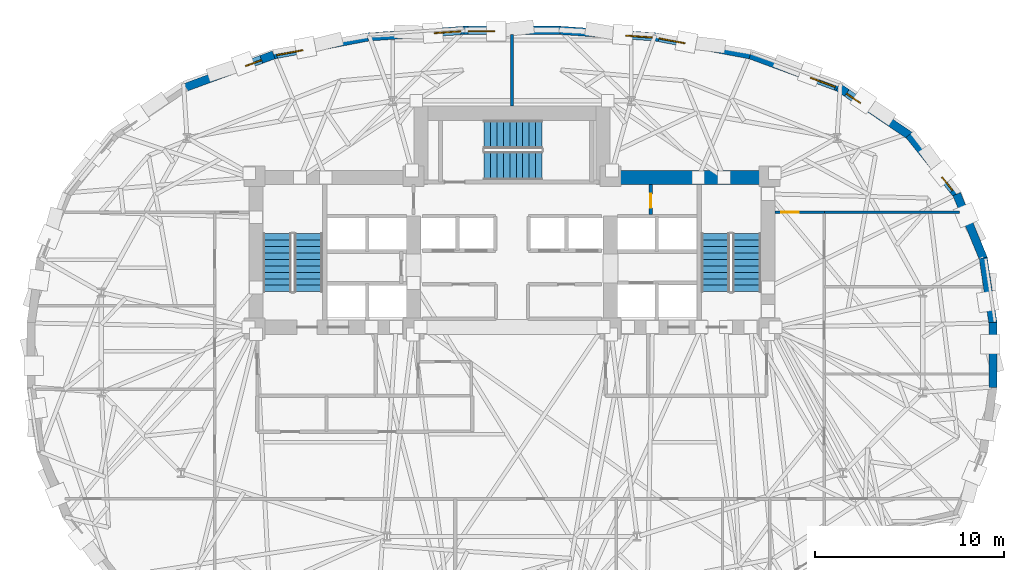
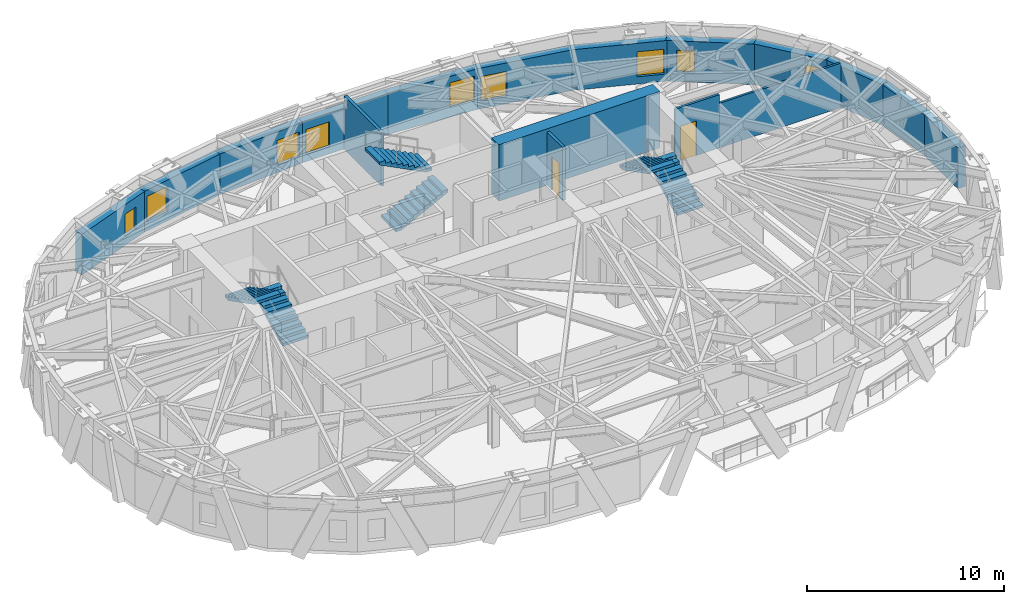
# One storey, part 10 of 14: 17 walls, 9 windows, 6 stair flights, 2 doors, 11 openings, 3 elements without a shape of their own.
"""IFC4 building model written with IfcOpenShell, lengths in metres."""

from ifc_helpers import new_model, si_unit, direction, frame, frame_2d, origin, place, context, subcontext, project, spatial, polyline, rectangle, outline, extrude, material, layer, layer_set, type_object, element, fill, aggregate, save


model = new_model("IFC4")

# Units and contexts
model_context = context("Model", 3, precision=1e-05, world=origin(), true_north=direction((0.0, 1.0)))
body_context = subcontext(model_context, "Body", "Model", "MODEL_VIEW")
ifc_project = project(units=[si_unit("LENGTHUNIT", "METRE"), si_unit("AREAUNIT", "SQUARE_METRE"), si_unit("VOLUMEUNIT", "CUBIC_METRE"), si_unit("PLANEANGLEUNIT", "RADIAN"), si_unit("MASSUNIT", "GRAM", prefix="KILO")], contexts=[model_context])

# Site, building, storey
site_placement = place(None, origin())
site = spatial("IfcSite", under=ifc_project, at=site_placement, CompositionType="ELEMENT")
building_placement = place(site_placement, origin())
building = spatial("IfcBuilding", under=site, at=building_placement, Name="Keldmark Tower", CompositionType="ELEMENT")
storey_placement = place(building_placement, frame((0.0, 0.0, 128.10009765625)))
storey = spatial("IfcBuildingStorey", under=building, at=storey_placement, Name="L34", CompositionType="ELEMENT", Elevation=128.10009765625)

# Wall, opening, door
ifc_material_1 = material(Name="Acoustic Double-Layer Gypsum Corridor Partition", Category="gypsum")
ifc_layer_1 = layer(ifc_material_1, 0.139892578125)
ifc_layer_set_1 = layer_set([ifc_layer_1], Name="Acoustic Double-Layer Gypsum Corridor Partition")
wall_type_1 = type_object("IfcWallType", Name="Acoustic Corridor Partition 140 mm", PredefinedType="PARTITIONING", material=ifc_layer_set_1)
wall_1_placement = place(storey_placement, frame((13.89990234375, 7.550048828125, 0.0), z_axis=(0.0, 0.0, 1.0), x_axis=(1.0, 0.0, 0.0)))
wall_1 = element("IfcWall", 1, at=wall_1_placement, inside=storey, type_object=wall_type_1, Name="L34 Acoustic Corridor Partition 140 mm COR-EN-CAP", PredefinedType="PARTITIONING", context=body_context, shape_type="SweptSolid", body=[
    extrude(rectangle(XDim=2.60009765625, YDim=0.139892578125, at=frame_2d((1.300048828125, 0.0))), origin(), (0.0, 0.0, 1.0), 3.309814453125),
])
opening_1_placement = place(wall_1_placement, frame((0.320068359375, 0.0, 0.0)))
opening_1 = element("IfcOpeningElement", 2, at=opening_1_placement, cuts=wall_1, Name="Opening D-EX092", PredefinedType="OPENING", context=body_context, shape_type="SweptSolid", body=[
    extrude(rectangle(XDim=0.919921875, YDim=2.14990234375, at=frame_2d((0.4599609375, 1.074951171875))), frame((0.0, 0.079833984375, 0.0), z_axis=(0.0, -1.0, 0.0), x_axis=(1.0, 0.0, 0.0)), (0.0, 0.0, 1.0), 0.159912109375),
])
ifc_material_2 = material(Name="Flush American Ash Executive Office Door", Category="wood")
door_type_1 = type_object("IfcDoorType", Name="Executive Office Door 920x2150", OperationType="NOTDEFINED", PredefinedType="DOOR", material=ifc_material_2)
door_1_placement = place(opening_1_placement, origin())
door_1 = element("IfcDoor", 3, at=door_1_placement, inside=storey, type_object=door_type_1, Name="L34 Executive Office Door 920x2150 D-NRNE-L34", OperationType="SINGLE_SWING_RIGHT", OverallHeight=2.14990234375, OverallWidth=0.919921875, PredefinedType="DOOR", context=body_context, shape_type="SweptSolid", body=[
    extrude(rectangle(XDim=0.919921875, YDim=2.14990234375, at=frame_2d((0.4599609375, 1.074951171875))), frame((0.0, 0.02490234375, 0.0), z_axis=(0.0, -1.0, 0.0), x_axis=(1.0, 0.0, 0.0)), (0.0, 0.0, 1.0), 0.050048828125),
])
fill(opening_1, door_1)

# Walls
ifc_material_3 = material(Name="STC-58 Insulated Tenant Demising Gypsum Partition", Category="gypsum")
ifc_layer_2 = layer(ifc_material_3, 0.175048828125)
ifc_layer_set_2 = layer_set([ifc_layer_2], Name="STC-58 Insulated Tenant Demising Gypsum Partition")
wall_type_2 = type_object("IfcWallType", Name="Demising Suite Partition 175 mm", PredefinedType="PARTITIONING", material=ifc_layer_set_2)
wall_2_placement = place(storey_placement, frame((0.0, 13.14990234375, 0.0), z_axis=(0.0, 0.0, 1.0), x_axis=(0.0, 1.0, 0.0)))
element("IfcWall", 4, at=wall_2_placement, inside=storey, type_object=wall_type_2, Name="L34 Demising Suite Partition 175 mm N-MID-DIV", PredefinedType="PARTITIONING", context=body_context, shape_type="SweptSolid", body=[
    extrude(rectangle(XDim=3.777099609375, YDim=0.175048828125, at=frame_2d((1.888671875, 0.0))), origin(), (0.0, 0.0, 1.0), 3.309814453125),
])
ifc_material_4 = material(Name="Acoustic Gypsum Board Interior Partition", Category="gypsum")
ifc_layer_3 = layer(ifc_material_4, 0.1298828125)
ifc_layer_set_3 = layer_set([ifc_layer_3], Name="Acoustic Gypsum Board Interior Partition")
wall_type_3 = type_object("IfcWallType", Name="Interior Partition 130 mm", PredefinedType="PARTITIONING", material=ifc_layer_set_3)
wall_3_placement = place(storey_placement, frame((16.5, 7.550048828125, 0.0), z_axis=(0.0, 0.0, 1.0), x_axis=(1.0, 0.0, 0.0)))
element("IfcWall", 5, at=wall_3_placement, inside=storey, type_object=wall_type_3, Name="L34 Interior Partition 130 mm E-CAP-N", PredefinedType="PARTITIONING", context=body_context, shape_type="SweptSolid", body=[
    extrude(rectangle(XDim=7.138671875, YDim=0.1298828125, at=frame_2d((3.5693359375, 0.0))), origin(), (0.0, 0.0, 1.0), 2.762939453125),
])
ifc_material_5 = material(Name="Concrete C70/85", Category="concrete")
ifc_layer_4 = layer(ifc_material_5, 0.75)
ifc_layer_set_4 = layer_set([ifc_layer_4], Name="Concrete C70/85")
wall_type_4 = type_object("IfcWallType", Name="Low-Mid Core Shear Wall 750 mm", PredefinedType="SHEAR", material=ifc_layer_set_4)
wall_4_placement = place(storey_placement, frame((4.425048828125, 9.375, 0.0), z_axis=(0.0, 0.0, 1.0), x_axis=(1.0, 0.0, 0.0)))
element("IfcWall", 6, at=wall_4_placement, inside=storey, type_object=wall_type_4, Name="L34 East Core North Shear Wall", PredefinedType="SHEAR", context=body_context, shape_type="SweptSolid", body=[
    extrude(rectangle(XDim=9.474853515625, YDim=0.75, at=frame_2d((4.7373046875, 0.0))), origin(), (0.0, 0.0, 1.0), 3.5),
])

# Wall, opening, door
ifc_material_6 = material(Name="Type X Fire-Rated Gypsum Partition Assembly", Category="gypsum")
ifc_layer_5 = layer(ifc_material_6, 0.1650390625)
ifc_layer_set_5 = layer_set([ifc_layer_5], Name="Type X Fire-Rated Gypsum Partition Assembly")
wall_type_5 = type_object("IfcWallType", Name="Rated Partition 165 mm", PredefinedType="PARTITIONING", material=ifc_layer_set_5)
wall_5_placement = place(storey_placement, frame((7.330078125, 7.419921875, 0.0), z_axis=(0.0, 0.0, 1.0), x_axis=(0.0, 1.0, 0.0)))
wall_5 = element("IfcWall", 7, at=wall_5_placement, inside=storey, type_object=wall_type_5, Name="L34 Rated Partition 165 mm CS-NE-W", PredefinedType="PARTITIONING", context=body_context, shape_type="SweptSolid", body=[
    extrude(rectangle(XDim=1.580078125, YDim=0.1650390625, at=frame_2d((0.7900390625, 0.0))), origin(), (0.0, 0.0, 1.0), 3.309814453125),
])
opening_2_placement = place(wall_5_placement, frame((0.35009765625, 0.0, 0.0)))
opening_2 = element("IfcOpeningElement", 8, at=opening_2_placement, cuts=wall_5, Name="Opening D-RS075", PredefinedType="OPENING", context=body_context, shape_type="SweptSolid", body=[
    extrude(rectangle(XDim=0.75, YDim=2.10009765625, at=frame_2d((0.375, 1.050048828125))), frame((0.0, 0.092529296875, 0.0), z_axis=(0.0, -1.0, 0.0), x_axis=(1.0, 0.0, 0.0)), (0.0, 0.0, 1.0), 0.18505859375),
])
ifc_material_7 = material(Name="Galvanized Fire-Rated Access Leaf", Category="metal")
door_type_2 = type_object("IfcDoorType", Name="Riser Access Door 750x2100", OperationType="NOTDEFINED", PredefinedType="DOOR", material=ifc_material_7)
door_2_placement = place(opening_2_placement, origin())
door_2 = element("IfcDoor", 9, at=door_2_placement, inside=storey, type_object=door_type_2, Name="L34 Riser Access Door 750x2100 D-CSNE1-L34", OperationType="SINGLE_SWING_LEFT", OverallHeight=2.10009765625, OverallWidth=0.75, PredefinedType="DOOR", context=body_context, shape_type="SweptSolid", body=[
    extrude(rectangle(XDim=0.75, YDim=2.10009765625, at=frame_2d((0.375, 1.050048828125))), frame((0.0, 0.02490234375, 0.0), z_axis=(0.0, -1.0, 0.0), x_axis=(1.0, 0.0, 0.0)), (0.0, 0.0, 1.0), 0.050048828125),
])
fill(opening_2, door_2)

# Walls
ifc_material_8 = material(Name="Ironspot Manganese Brick and Kasota Buff Limestone Spandrel Assembly", Category="masonry")
ifc_layer_6 = layer(ifc_material_8, 0.43994140625)
ifc_layer_set_6 = layer_set([ifc_layer_6], Name="Ironspot Manganese Brick and Kasota Buff Limestone Spandrel Assembly")
wall_type_6 = type_object("IfcWallType", Name="Tower Brick Pier and Spandrel Wall 440 mm", PredefinedType="STANDARD", material=ifc_layer_set_6)
wall_6_placement = place(storey_placement, frame((24.893310546875, 5.132080078125, 0.0), z_axis=(0.0, 0.0, 1.0), x_axis=(0.147673688434, -0.989036137734, 0.0)))
element("IfcWall", 10, at=wall_6_placement, inside=storey, type_object=wall_type_6, Name="L34 Exterior Brick and Spandrel Wall 01", PredefinedType="STANDARD", context=body_context, shape_type="SweptSolid", body=[
    extrude(rectangle(XDim=3.49169921875, YDim=0.43994140625, at=frame_2d((1.745849609375, 0.0))), origin(), (0.0, 0.0, 1.0), 2.52783203125),
])
wall_7_placement = place(storey_placement, frame((23.4912109375, 8.5029296875, 0.0), z_axis=(0.0, 0.0, 1.0), x_axis=(0.382433297136, -0.923983102249, 0.0)))
element("IfcWall", 11, at=wall_7_placement, inside=storey, type_object=wall_type_6, Name="L34 Exterior Brick and Spandrel Wall 02", PredefinedType="STANDARD", context=body_context, shape_type="SweptSolid", body=[
    extrude(rectangle(XDim=3.703857421875, YDim=0.43994140625, at=frame_2d((1.85205078125, 0.0))), origin(), (0.0, 0.0, 1.0), 2.52783203125),
])

# Wall, opening, window
wall_8_placement = place(storey_placement, frame((20.9755859375, 11.62939453125, 0.0), z_axis=(0.0, 0.0, 1.0), x_axis=(0.625169926256, -0.780488669556, 0.0)))
wall_8 = element("IfcWall", 12, at=wall_8_placement, inside=storey, type_object=wall_type_6, Name="L34 Exterior Brick and Spandrel Wall 03", PredefinedType="STANDARD", context=body_context, shape_type="SweptSolid", body=[
    extrude(rectangle(XDim=4.07421875, YDim=0.43994140625, at=frame_2d((2.037109375, 0.0))), origin(), (0.0, 0.0, 1.0), 2.52783203125),
])
opening_3_placement = place(wall_8_placement, frame((2.82568359375, 0.0, 0.580078125)))
opening_3 = element("IfcOpeningElement", 13, at=opening_3_placement, cuts=wall_8, Name="Opening W-09", PredefinedType="OPENING", context=body_context, shape_type="SweptSolid", body=[
    extrude(rectangle(XDim=0.89990234375, YDim=1.35009765625, at=frame_2d((0.449951171875, 0.675048828125))), frame((0.0, 0.22998046875, 0.0), z_axis=(0.0, -1.0, 0.0), x_axis=(1.0, 0.0, 0.0)), (0.0, 0.0, 1.0), 0.4599609375),
])
ifc_material_9 = material(Name="Thermally Broken Anodized Aluminum and Triple Low-E Argon Glazing", Category="aluminium")
window_type_1 = type_object("IfcWindowType", Name="Corner Pier Deep-Set Window 900x1350", PartitioningType="SINGLE_PANEL", PredefinedType="WINDOW", material=ifc_material_9)
window_1_placement = place(opening_3_placement, origin())
window_1 = element("IfcWindow", 14, at=window_1_placement, inside=storey, type_object=window_type_1, Name="L34 Deep-Set Window 03", OverallHeight=1.35009765625, OverallWidth=0.89990234375, PartitioningType="SINGLE_PANEL", PredefinedType="WINDOW", context=body_context, shape_type="SweptSolid", body=[
    extrude(rectangle(XDim=0.89990234375, YDim=1.35009765625, at=frame_2d((0.449951171875, 0.675048828125))), frame((0.0, -0.010009765625, 0.0), z_axis=(0.0, -1.0, 0.0), x_axis=(1.0, 0.0, 0.0)), (0.0, 0.0, 1.0), 0.06005859375),
])
fill(opening_3, window_1)

wall_9_placement = place(storey_placement, frame((17.231689453125, 14.156005859375, 0.0), z_axis=(0.0, 0.0, 1.0), x_axis=(0.827687941294, -0.561188624116, 0.0)))
wall_9 = element("IfcWall", 15, at=wall_9_placement, inside=storey, type_object=wall_type_6, Name="L34 Exterior Brick and Spandrel Wall 04", PredefinedType="STANDARD", context=body_context, shape_type="SweptSolid", body=[
    extrude(rectangle(XDim=4.58154296875, YDim=0.43994140625, at=frame_2d((2.290771484375, 0.0))), origin(), (0.0, 0.0, 1.0), 2.52783203125),
])
opening_4_placement = place(wall_9_placement, frame((0.548095703125, 0.0, 0.580078125)))
opening_4 = element("IfcOpeningElement", 16, at=opening_4_placement, cuts=wall_9, Name="Opening W-09", PredefinedType="OPENING", context=body_context, shape_type="SweptSolid", body=[
    extrude(rectangle(XDim=0.89990234375, YDim=1.35009765625, at=frame_2d((0.449951171875, 0.675048828125))), frame((0.0, 0.22998046875, 0.0), z_axis=(0.0, -1.0, 0.0), x_axis=(1.0, 0.0, 0.0)), (0.0, 0.0, 1.0), 0.4599609375),
])
window_2_placement = place(opening_4_placement, origin())
window_2 = element("IfcWindow", 17, at=window_2_placement, inside=storey, type_object=window_type_1, Name="L34 Deep-Set Window 04", OverallHeight=1.35009765625, OverallWidth=0.89990234375, PartitioningType="SINGLE_PANEL", PredefinedType="WINDOW", context=body_context, shape_type="SweptSolid", body=[
    extrude(rectangle(XDim=0.89990234375, YDim=1.35009765625, at=frame_2d((0.449951171875, 0.675048828125))), frame((0.0, -0.010009765625, 0.0), z_axis=(0.0, -1.0, 0.0), x_axis=(1.0, 0.0, 0.0)), (0.0, 0.0, 1.0), 0.06005859375),
])
fill(opening_4, window_2)

wall_10_placement = place(storey_placement, frame((12.5888671875, 15.858642578125, 0.0), z_axis=(0.0, 0.0, 1.0), x_axis=(0.938408147313, -0.345528796278, 0.0)))
wall_10 = element("IfcWall", 18, at=wall_10_placement, inside=storey, type_object=wall_type_6, Name="L34 Exterior Brick and Spandrel Wall 05", PredefinedType="STANDARD", context=body_context, shape_type="SweptSolid", body=[
    extrude(rectangle(XDim=4.998291015625, YDim=0.43994140625, at=frame_2d((2.4990234375, 0.0))), origin(), (0.0, 0.0, 1.0), 2.52783203125),
])
opening_5_placement = place(wall_10_placement, frame((3.398193359375, 0.0, 0.449951171875)))
opening_5 = element("IfcOpeningElement", 19, at=opening_5_placement, cuts=wall_10, Name="Opening W-08", PredefinedType="OPENING", context=body_context, shape_type="SweptSolid", body=[
    extrude(rectangle(XDim=1.39990234375, YDim=1.550048828125, at=frame_2d((0.699951171875, 0.77490234375))), frame((0.0, 0.22998046875, 0.0), z_axis=(0.0, -1.0, 0.0), x_axis=(1.0, 0.0, 0.0)), (0.0, 0.0, 1.0), 0.4599609375),
])
ifc_material_10 = material(Name="Thermally Broken Anodized Aluminum and Triple Low-E Argon Glazing", Category="aluminium")
window_type_2 = type_object("IfcWindowType", Name="Residential Corner Punched Window 1400x1550", PartitioningType="SINGLE_PANEL", PredefinedType="WINDOW", material=ifc_material_10)
window_3_placement = place(opening_5_placement, origin())
window_3 = element("IfcWindow", 20, at=window_3_placement, inside=storey, type_object=window_type_2, Name="L34 Deep-Set Window 05", OverallHeight=1.550048828125, OverallWidth=1.39990234375, PartitioningType="SINGLE_PANEL", PredefinedType="WINDOW", context=body_context, shape_type="SweptSolid", body=[
    extrude(rectangle(XDim=1.39990234375, YDim=1.550048828125, at=frame_2d((0.699951171875, 0.77490234375))), frame((0.0, -0.010009765625, 0.0), z_axis=(0.0, -1.0, 0.0), x_axis=(1.0, 0.0, 0.0)), (0.0, 0.0, 1.0), 0.06005859375),
])
fill(opening_5, window_3)

wall_11_placement = place(storey_placement, frame((7.576171875, 16.809326171875, 0.0), z_axis=(0.0, 0.0, 1.0), x_axis=(0.982383038938, -0.186878476041, 0.0)))
wall_11 = element("IfcWall", 21, at=wall_11_placement, inside=storey, type_object=wall_type_6, Name="L34 Exterior Brick and Spandrel Wall 06", PredefinedType="STANDARD", context=body_context, shape_type="SweptSolid", body=[
    extrude(rectangle(XDim=5.13818359375, YDim=0.43994140625, at=frame_2d((2.569091796875, 0.0))), origin(), (0.0, 0.0, 1.0), 2.52783203125),
])
opening_6_placement = place(wall_11_placement, frame((0.199951171875, 0.0, 0.449951171875)))
opening_6 = element("IfcOpeningElement", 22, at=opening_6_placement, cuts=wall_11, Name="Opening W-08", PredefinedType="OPENING", context=body_context, shape_type="SweptSolid", body=[
    extrude(rectangle(XDim=1.39990234375, YDim=1.550048828125, at=frame_2d((0.699951171875, 0.77490234375))), frame((0.0, 0.22998046875, 0.0), z_axis=(0.0, -1.0, 0.0), x_axis=(1.0, 0.0, 0.0)), (0.0, 0.0, 1.0), 0.4599609375),
])
window_4_placement = place(opening_6_placement, origin())
window_4 = element("IfcWindow", 23, at=window_4_placement, inside=storey, type_object=window_type_2, Name="L34 Deep-Set Window 06", OverallHeight=1.550048828125, OverallWidth=1.39990234375, PartitioningType="SINGLE_PANEL", PredefinedType="WINDOW", context=body_context, shape_type="SweptSolid", body=[
    extrude(rectangle(XDim=1.39990234375, YDim=1.550048828125, at=frame_2d((0.699951171875, 0.77490234375))), frame((0.0, -0.010009765625, 0.0), z_axis=(0.0, -1.0, 0.0), x_axis=(1.0, 0.0, 0.0)), (0.0, 0.0, 1.0), 0.06005859375),
])
fill(opening_6, window_4)

wall_12_placement = place(storey_placement, frame((2.5087890625, 17.155517578125, 0.0), z_axis=(0.0, 0.0, 1.0), x_axis=(0.997652685464, -0.068477143536, 0.0)))
wall_12 = element("IfcWall", 24, at=wall_12_placement, inside=storey, type_object=wall_type_6, Name="L34 Exterior Brick and Spandrel Wall 07", PredefinedType="STANDARD", context=body_context, shape_type="SweptSolid", body=[
    extrude(rectangle(XDim=5.10546875, YDim=0.43994140625, at=frame_2d((2.552734375, 0.0))), origin(), (0.0, 0.0, 1.0), 2.52783203125),
])
opening_7_placement = place(wall_12_placement, frame((3.50537109375, 0.0, 0.580078125)))
opening_7 = element("IfcOpeningElement", 25, at=opening_7_placement, cuts=wall_12, Name="Opening W-08", PredefinedType="OPENING", context=body_context, shape_type="SweptSolid", body=[
    extrude(rectangle(XDim=1.39990234375, YDim=1.550048828125, at=frame_2d((0.699951171875, 0.77490234375))), frame((0.0, 0.22998046875, 0.0), z_axis=(0.0, -1.0, 0.0), x_axis=(1.0, 0.0, 0.0)), (0.0, 0.0, 1.0), 0.4599609375),
])
window_5_placement = place(opening_7_placement, origin())
window_5 = element("IfcWindow", 26, at=window_5_placement, inside=storey, type_object=window_type_2, Name="L34 Deep-Set Window 07", OverallHeight=1.550048828125, OverallWidth=1.39990234375, PartitioningType="SINGLE_PANEL", PredefinedType="WINDOW", context=body_context, shape_type="SweptSolid", body=[
    extrude(rectangle(XDim=1.39990234375, YDim=1.550048828125, at=frame_2d((0.699951171875, 0.77490234375))), frame((0.0, -0.010009765625, 0.0), z_axis=(0.0, -1.0, 0.0), x_axis=(1.0, 0.0, 0.0)), (0.0, 0.0, 1.0), 0.06005859375),
])
fill(opening_7, window_5)

wall_13_placement = place(storey_placement, frame((-2.52392578125, 17.155029296875, 0.0), z_axis=(0.0, 0.0, 1.0), x_axis=(1.0, 0.0, 0.0)))
wall_13 = element("IfcWall", 27, at=wall_13_placement, inside=storey, type_object=wall_type_6, Name="L34 Exterior Brick and Spandrel Wall 08", PredefinedType="STANDARD", context=body_context, shape_type="SweptSolid", body=[
    extrude(rectangle(XDim=5.0478515625, YDim=0.43994140625, at=frame_2d((2.52392578125, 0.0))), origin(), (0.0, 0.0, 1.0), 2.52783203125),
])
opening_8_placement = place(wall_13_placement, frame((0.199951171875, 0.0, 0.449951171875)))
opening_8 = element("IfcOpeningElement", 28, at=opening_8_placement, cuts=wall_13, Name="Opening W-08", PredefinedType="OPENING", context=body_context, shape_type="SweptSolid", body=[
    extrude(rectangle(XDim=1.39990234375, YDim=1.550048828125, at=frame_2d((0.699951171875, 0.77490234375))), frame((0.0, 0.22998046875, 0.0), z_axis=(0.0, -1.0, 0.0), x_axis=(1.0, 0.0, 0.0)), (0.0, 0.0, 1.0), 0.4599609375),
])
window_6_placement = place(opening_8_placement, origin())
window_6 = element("IfcWindow", 29, at=window_6_placement, inside=storey, type_object=window_type_2, Name="L34 Deep-Set Window 08", OverallHeight=1.550048828125, OverallWidth=1.39990234375, PartitioningType="SINGLE_PANEL", PredefinedType="WINDOW", context=body_context, shape_type="SweptSolid", body=[
    extrude(rectangle(XDim=1.39990234375, YDim=1.550048828125, at=frame_2d((0.699951171875, 0.77490234375))), frame((0.0, -0.010009765625, 0.0), z_axis=(0.0, -1.0, 0.0), x_axis=(1.0, 0.0, 0.0)), (0.0, 0.0, 1.0), 0.06005859375),
])
fill(opening_8, window_6)

wall_14_placement = place(storey_placement, frame((-7.602294921875, 16.805908203125, 0.0), z_axis=(0.0, 0.0, 1.0), x_axis=(0.997652685464, 0.068477143536, 0.0)))
wall_14 = element("IfcWall", 30, at=wall_14_placement, inside=storey, type_object=wall_type_6, Name="L34 Exterior Brick and Spandrel Wall 09", PredefinedType="STANDARD", context=body_context, shape_type="SweptSolid", body=[
    extrude(rectangle(XDim=5.10546875, YDim=0.43994140625, at=frame_2d((2.552734375, 0.0))), origin(), (0.0, 0.0, 1.0), 2.52783203125),
])
opening_9_placement = place(wall_14_placement, frame((3.50537109375, 0.0, 0.449951171875)))
opening_9 = element("IfcOpeningElement", 31, at=opening_9_placement, cuts=wall_14, Name="Opening W-08", PredefinedType="OPENING", context=body_context, shape_type="SweptSolid", body=[
    extrude(rectangle(XDim=1.39990234375, YDim=1.550048828125, at=frame_2d((0.699951171875, 0.77490234375))), frame((0.0, 0.22998046875, 0.0), z_axis=(0.0, -1.0, 0.0), x_axis=(1.0, 0.0, 0.0)), (0.0, 0.0, 1.0), 0.4599609375),
])
window_7_placement = place(opening_9_placement, origin())
window_7 = element("IfcWindow", 32, at=window_7_placement, inside=storey, type_object=window_type_2, Name="L34 Deep-Set Window 09", OverallHeight=1.550048828125, OverallWidth=1.39990234375, PartitioningType="SINGLE_PANEL", PredefinedType="WINDOW", context=body_context, shape_type="SweptSolid", body=[
    extrude(rectangle(XDim=1.39990234375, YDim=1.550048828125, at=frame_2d((0.699951171875, 0.77490234375))), frame((0.0, -0.010009765625, 0.0), z_axis=(0.0, -1.0, 0.0), x_axis=(1.0, 0.0, 0.0)), (0.0, 0.0, 1.0), 0.06005859375),
])
fill(opening_9, window_7)

wall_15_placement = place(storey_placement, frame((-12.623779296875, 15.84912109375, 0.0), z_axis=(0.0, 0.0, 1.0), x_axis=(0.982383038938, 0.186878476041, 0.0)))
wall_15 = element("IfcWall", 33, at=wall_15_placement, inside=storey, type_object=wall_type_6, Name="L34 Exterior Brick and Spandrel Wall 10", PredefinedType="STANDARD", context=body_context, shape_type="SweptSolid", body=[
    extrude(rectangle(XDim=5.13818359375, YDim=0.43994140625, at=frame_2d((2.569091796875, 0.0))), origin(), (0.0, 0.0, 1.0), 2.52783203125),
])
opening_10_placement = place(wall_15_placement, frame((0.199951171875, 0.0, 0.580078125)))
opening_10 = element("IfcOpeningElement", 34, at=opening_10_placement, cuts=wall_15, Name="Opening W-08", PredefinedType="OPENING", context=body_context, shape_type="SweptSolid", body=[
    extrude(rectangle(XDim=1.39990234375, YDim=1.550048828125, at=frame_2d((0.699951171875, 0.77490234375))), frame((0.0, 0.22998046875, 0.0), z_axis=(0.0, -1.0, 0.0), x_axis=(1.0, 0.0, 0.0)), (0.0, 0.0, 1.0), 0.4599609375),
])
window_8_placement = place(opening_10_placement, origin())
window_8 = element("IfcWindow", 35, at=window_8_placement, inside=storey, type_object=window_type_2, Name="L34 Deep-Set Window 10", OverallHeight=1.550048828125, OverallWidth=1.39990234375, PartitioningType="SINGLE_PANEL", PredefinedType="WINDOW", context=body_context, shape_type="SweptSolid", body=[
    extrude(rectangle(XDim=1.39990234375, YDim=1.550048828125, at=frame_2d((0.699951171875, 0.77490234375))), frame((0.0, -0.010009765625, 0.0), z_axis=(0.0, -1.0, 0.0), x_axis=(1.0, 0.0, 0.0)), (0.0, 0.0, 1.0), 0.06005859375),
])
fill(opening_10, window_8)

wall_16_placement = place(storey_placement, frame((-17.279296875, 14.131591796875, 0.0), z_axis=(0.0, 0.0, 1.0), x_axis=(0.938408147313, 0.345528796278, 0.0)))
wall_16 = element("IfcWall", 36, at=wall_16_placement, inside=storey, type_object=wall_type_6, Name="L34 Exterior Brick and Spandrel Wall 11", PredefinedType="STANDARD", context=body_context, shape_type="SweptSolid", body=[
    extrude(rectangle(XDim=4.998291015625, YDim=0.43994140625, at=frame_2d((2.4990234375, 0.0))), origin(), (0.0, 0.0, 1.0), 2.52783203125),
])
opening_11_placement = place(wall_16_placement, frame((3.3984375, 0.0, 0.580078125)))
opening_11 = element("IfcOpeningElement", 37, at=opening_11_placement, cuts=wall_16, Name="Opening W-09", PredefinedType="OPENING", context=body_context, shape_type="SweptSolid", body=[
    extrude(rectangle(XDim=0.89990234375, YDim=1.35009765625, at=frame_2d((0.449951171875, 0.675048828125))), frame((0.0, 0.22998046875, 0.0), z_axis=(0.0, -1.0, 0.0), x_axis=(1.0, 0.0, 0.0)), (0.0, 0.0, 1.0), 0.4599609375),
])
window_9_placement = place(opening_11_placement, origin())
window_9 = element("IfcWindow", 38, at=window_9_placement, inside=storey, type_object=window_type_1, Name="L34 Deep-Set Window 11", OverallHeight=1.35009765625, OverallWidth=0.89990234375, PartitioningType="SINGLE_PANEL", PredefinedType="WINDOW", context=body_context, shape_type="SweptSolid", body=[
    extrude(rectangle(XDim=0.89990234375, YDim=1.35009765625, at=frame_2d((0.449951171875, 0.675048828125))), frame((0.0, -0.010009765625, 0.0), z_axis=(0.0, -1.0, 0.0), x_axis=(1.0, 0.0, 0.0)), (0.0, 0.0, 1.0), 0.06005859375),
])
fill(opening_11, window_9)

# Wall
wall_17_placement = place(storey_placement, frame((25.406494140625, 1.711181640625, 0.0), z_axis=(0.0, 0.0, 1.0), x_axis=(0.0, -1.0, 0.0)))
element("IfcWall", 39, at=wall_17_placement, inside=storey, type_object=wall_type_6, Name="L34 Exterior Brick and Spandrel Wall 32", PredefinedType="STANDARD", context=body_context, shape_type="SweptSolid", body=[
    extrude(rectangle(XDim=3.42236328125, YDim=0.43994140625, at=frame_2d((1.711181640625, 0.0))), origin(), (0.0, 0.0, 1.0), 2.52783203125),
])

# Stair, stair flights
ifc_material_11 = material(Name="Concrete C40/50", Category="concrete")
stair_type = type_object("IfcStairType", Name="Precast Concrete Core Exit Stair", PredefinedType="HALF_TURN_STAIR", material=ifc_material_11)
stair_1_placement = place(storey_placement, origin())
stair_1 = element("IfcStair", 40, at=stair_1_placement, inside=storey, type_object=stair_type, Name="L34 Exit Stair ST1", PredefinedType="HALF_TURN_STAIR")
ifc_material_12 = material(Name="Concrete C40/50", Category="concrete")
stair_flight_type = type_object("IfcStairFlightType", Name="Precast Concrete Stair Flight 1500 mm", PredefinedType="STRAIGHT", material=ifc_material_12)
stair_flight_1_placement = place(storey_placement, frame((-10.75, 3.35009765625, 0.0), z_axis=(0.0, 0.0, 1.0), x_axis=(0.0, 1.0, 0.0)))
stair_flight_1 = element("IfcStairFlight", 41, at=stair_flight_1_placement, type_object=stair_flight_type, Name="ST1 flight 1", NumberOfRisers=10, NumberOfTreads=9, PredefinedType="STRAIGHT", RiserHeight=0.175, TreadLength=0.34, context=body_context, shape_type="SweptSolid", body=[
    extrude(outline(polyline([(0.0, 0.0), (0.0, 0.175048828125), (0.340087890625, 0.175048828125), (0.340087890625, 0.35009765625), (0.679931640625, 0.35009765625), (0.679931640625, 0.52490234375), (1.02001953125, 0.52490234375), (1.02001953125, 0.699951171875), (1.360107421875, 0.699951171875), (1.360107421875, 0.875), (1.699951171875, 0.875), (1.699951171875, 1.050048828125), (2.0400390625, 1.050048828125), (2.0400390625, 1.22509765625), (2.3798828125, 1.22509765625), (2.3798828125, 1.39990234375), (2.719970703125, 1.39990234375), (2.719970703125, 1.574951171875), (3.06005859375, 1.574951171875), (3.06005859375, 1.75), (3.06005859375, 1.406494140625), (0.32763671875, 0.0), (0.0, 0.0)])), frame((0.0, 0.75, 0.0), z_axis=(0.0, -1.0, 0.0), x_axis=(1.0, 0.0, 0.0)), (0.0, 0.0, 1.0), 1.5),
])
stair_flight_2_placement = place(storey_placement, frame((-12.39990234375, 6.409912109375, 1.75), z_axis=(0.0, 0.0, 1.0), x_axis=(0.0, -1.0, 0.0)))
stair_flight_2 = element("IfcStairFlight", 42, at=stair_flight_2_placement, type_object=stair_flight_type, Name="ST1 flight 2", NumberOfRisers=10, NumberOfTreads=9, PredefinedType="STRAIGHT", RiserHeight=0.175, TreadLength=0.34, context=body_context, shape_type="SweptSolid", body=[
    extrude(outline(polyline([(0.0, 0.0), (0.0, 0.175048828125), (0.340087890625, 0.175048828125), (0.340087890625, 0.35009765625), (0.679931640625, 0.35009765625), (0.679931640625, 0.52490234375), (1.02001953125, 0.52490234375), (1.02001953125, 0.699951171875), (1.360107421875, 0.699951171875), (1.360107421875, 0.875), (1.699951171875, 0.875), (1.699951171875, 1.050048828125), (2.0400390625, 1.050048828125), (2.0400390625, 1.22509765625), (2.3798828125, 1.22509765625), (2.3798828125, 1.39990234375), (2.719970703125, 1.39990234375), (2.719970703125, 1.574951171875), (3.06005859375, 1.574951171875), (3.06005859375, 1.75), (3.06005859375, 1.406494140625), (0.32763671875, 0.0), (0.0, 0.0)])), frame((0.0, 0.75, 0.0), z_axis=(0.0, -1.0, 0.0), x_axis=(1.0, 0.0, 0.0)), (0.0, 0.0, 1.0), 1.5),
])
aggregate(stair_1, [stair_flight_1, stair_flight_2])

stair_2_placement = place(storey_placement, origin())
stair_2 = element("IfcStair", 43, at=stair_2_placement, inside=storey, type_object=stair_type, Name="L34 Exit Stair ST2", PredefinedType="HALF_TURN_STAIR")
stair_flight_3_placement = place(storey_placement, frame((12.39990234375, 3.35009765625, 0.0), z_axis=(0.0, 0.0, 1.0), x_axis=(0.0, 1.0, 0.0)))
stair_flight_3 = element("IfcStairFlight", 44, at=stair_flight_3_placement, type_object=stair_flight_type, Name="ST2 flight 1", NumberOfRisers=10, NumberOfTreads=9, PredefinedType="STRAIGHT", RiserHeight=0.175, TreadLength=0.34, context=body_context, shape_type="SweptSolid", body=[
    extrude(outline(polyline([(0.0, 0.0), (0.0, 0.175048828125), (0.340087890625, 0.175048828125), (0.340087890625, 0.35009765625), (0.679931640625, 0.35009765625), (0.679931640625, 0.52490234375), (1.02001953125, 0.52490234375), (1.02001953125, 0.699951171875), (1.360107421875, 0.699951171875), (1.360107421875, 0.875), (1.699951171875, 0.875), (1.699951171875, 1.050048828125), (2.0400390625, 1.050048828125), (2.0400390625, 1.22509765625), (2.3798828125, 1.22509765625), (2.3798828125, 1.39990234375), (2.719970703125, 1.39990234375), (2.719970703125, 1.574951171875), (3.06005859375, 1.574951171875), (3.06005859375, 1.75), (3.06005859375, 1.406494140625), (0.32763671875, 0.0), (0.0, 0.0)])), frame((0.0, 0.75, 0.0), z_axis=(0.0, -1.0, 0.0), x_axis=(1.0, 0.0, 0.0)), (0.0, 0.0, 1.0), 1.5),
])
stair_flight_4_placement = place(storey_placement, frame((10.75, 6.409912109375, 1.75), z_axis=(0.0, 0.0, 1.0), x_axis=(0.0, -1.0, 0.0)))
stair_flight_4 = element("IfcStairFlight", 45, at=stair_flight_4_placement, type_object=stair_flight_type, Name="ST2 flight 2", NumberOfRisers=10, NumberOfTreads=9, PredefinedType="STRAIGHT", RiserHeight=0.175, TreadLength=0.34, context=body_context, shape_type="SweptSolid", body=[
    extrude(outline(polyline([(0.0, 0.0), (0.0, 0.175048828125), (0.340087890625, 0.175048828125), (0.340087890625, 0.35009765625), (0.679931640625, 0.35009765625), (0.679931640625, 0.52490234375), (1.02001953125, 0.52490234375), (1.02001953125, 0.699951171875), (1.360107421875, 0.699951171875), (1.360107421875, 0.875), (1.699951171875, 0.875), (1.699951171875, 1.050048828125), (2.0400390625, 1.050048828125), (2.0400390625, 1.22509765625), (2.3798828125, 1.22509765625), (2.3798828125, 1.39990234375), (2.719970703125, 1.39990234375), (2.719970703125, 1.574951171875), (3.06005859375, 1.574951171875), (3.06005859375, 1.75), (3.06005859375, 1.406494140625), (0.32763671875, 0.0), (0.0, 0.0)])), frame((0.0, 0.75, 0.0), z_axis=(0.0, -1.0, 0.0), x_axis=(1.0, 0.0, 0.0)), (0.0, 0.0, 1.0), 1.5),
])
aggregate(stair_2, [stair_flight_3, stair_flight_4])

stair_3_placement = place(storey_placement, origin())
stair_3 = element("IfcStair", 46, at=stair_3_placement, inside=storey, type_object=stair_type, Name="L34 Exit Stair ST3", PredefinedType="HALF_TURN_STAIR")
stair_flight_5_placement = place(storey_placement, frame((-1.47509765625, 10.0, 0.0), z_axis=(0.0, 0.0, 1.0), x_axis=(1.0, 0.0, 0.0)))
stair_flight_5 = element("IfcStairFlight", 47, at=stair_flight_5_placement, type_object=stair_flight_type, Name="ST3 flight 1", NumberOfRisers=10, NumberOfTreads=9, PredefinedType="STRAIGHT", RiserHeight=0.175, TreadLength=0.34, context=body_context, shape_type="SweptSolid", body=[
    extrude(outline(polyline([(0.0, 0.0), (0.0, 0.175048828125), (0.340087890625, 0.175048828125), (0.340087890625, 0.35009765625), (0.679931640625, 0.35009765625), (0.679931640625, 0.52490234375), (1.02001953125, 0.52490234375), (1.02001953125, 0.699951171875), (1.360107421875, 0.699951171875), (1.360107421875, 0.875), (1.699951171875, 0.875), (1.699951171875, 1.050048828125), (2.0400390625, 1.050048828125), (2.0400390625, 1.22509765625), (2.3798828125, 1.22509765625), (2.3798828125, 1.39990234375), (2.719970703125, 1.39990234375), (2.719970703125, 1.574951171875), (3.06005859375, 1.574951171875), (3.06005859375, 1.75), (3.06005859375, 1.406494140625), (0.32763671875, 0.0), (0.0, 0.0)])), frame((0.0, 0.75, 0.0), z_axis=(0.0, -1.0, 0.0), x_axis=(1.0, 0.0, 0.0)), (0.0, 0.0, 1.0), 1.5),
])
stair_flight_6_placement = place(storey_placement, frame((1.5849609375, 11.64990234375, 1.75), z_axis=(0.0, 0.0, 1.0), x_axis=(-1.0, 0.0, 0.0)))
stair_flight_6 = element("IfcStairFlight", 48, at=stair_flight_6_placement, type_object=stair_flight_type, Name="ST3 flight 2", NumberOfRisers=10, NumberOfTreads=9, PredefinedType="STRAIGHT", RiserHeight=0.175, TreadLength=0.34, context=body_context, shape_type="SweptSolid", body=[
    extrude(outline(polyline([(0.0, 0.0), (0.0, 0.175048828125), (0.340087890625, 0.175048828125), (0.340087890625, 0.35009765625), (0.679931640625, 0.35009765625), (0.679931640625, 0.52490234375), (1.02001953125, 0.52490234375), (1.02001953125, 0.699951171875), (1.360107421875, 0.699951171875), (1.360107421875, 0.875), (1.699951171875, 0.875), (1.699951171875, 1.050048828125), (2.0400390625, 1.050048828125), (2.0400390625, 1.22509765625), (2.3798828125, 1.22509765625), (2.3798828125, 1.39990234375), (2.719970703125, 1.39990234375), (2.719970703125, 1.574951171875), (3.06005859375, 1.574951171875), (3.06005859375, 1.75), (3.06005859375, 1.406494140625), (0.32763671875, 0.0), (0.0, 0.0)])), frame((0.0, 0.75, 0.0), z_axis=(0.0, -1.0, 0.0), x_axis=(1.0, 0.0, 0.0)), (0.0, 0.0, 1.0), 1.5),
])
aggregate(stair_3, [stair_flight_5, stair_flight_6])

save(model, "model.ifc")
